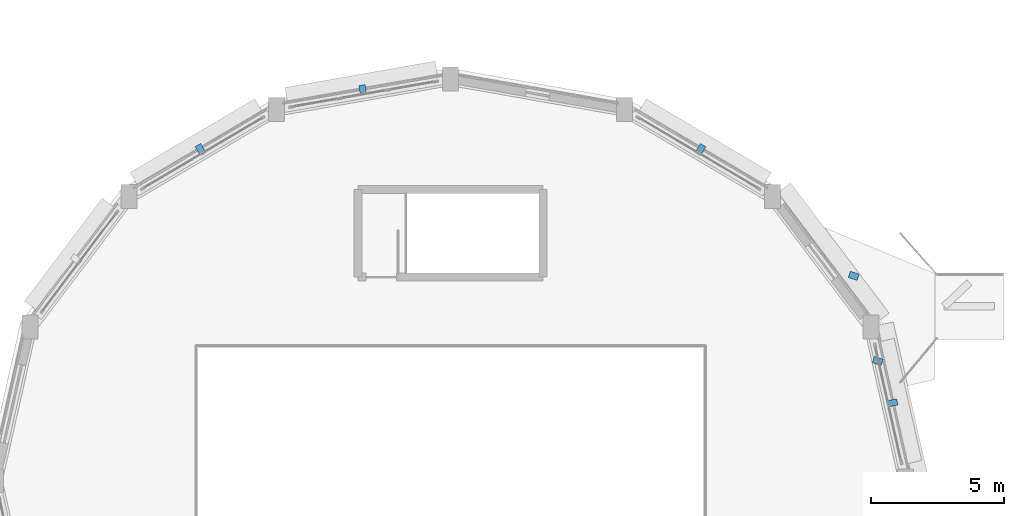
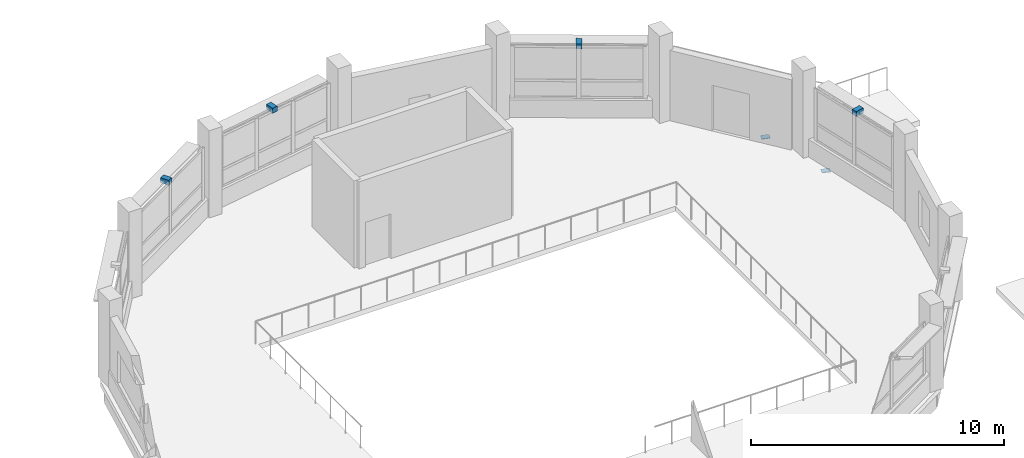
# One storey, part 119 of 128: 6 discrete accessories.
"""IFC4 building model written with IfcOpenShell, lengths in metres."""

from ifc_helpers import new_model, si_unit, direction, frame, origin, origin_2d, place, context, subcontext, project, spatial, rectangle, extrude, material, type_object, element, save


model = new_model("IFC4")

# Units and contexts
model_context = context("Model", 3, precision=1e-05, world=origin(), true_north=direction((0.0, 1.0)))
body_context = subcontext(model_context, "Body", "Model", "MODEL_VIEW")
ifc_project = project(units=[si_unit("LENGTHUNIT", "METRE"), si_unit("AREAUNIT", "SQUARE_METRE"), si_unit("VOLUMEUNIT", "CUBIC_METRE"), si_unit("PLANEANGLEUNIT", "RADIAN"), si_unit("MASSUNIT", "GRAM", prefix="KILO")], contexts=[model_context])

# Site, building, storey
site_placement = place(None, origin())
site = spatial("IfcSite", under=ifc_project, at=site_placement, CompositionType="ELEMENT")
building_placement = place(site_placement, origin())
building = spatial("IfcBuilding", under=site, at=building_placement, Name="Vespera Passage Community Centre", CompositionType="ELEMENT")
storey_placement = place(building_placement, frame((0.0, 0.0, 4.5)))
storey = spatial("IfcBuildingStorey", under=building, at=storey_placement, Name="L01", CompositionType="ELEMENT", Elevation=4.5)

# Discrete accessories
ifc_material_1 = material(Name="Steel ASTM A572 Grade 50", Category="steel")
discrete_accessory_type_1 = type_object("IfcDiscreteAccessoryType", Name="ACC-BRACKET", PredefinedType="BRACKET", material=ifc_material_1)
for number, where, z_axis, x_axis, name in (
    (1, (159.605224609375, 92.42431640625, 3.23486328125), (0.0, 0.0, 1.0), (0.219744045409, -0.975557560838, 0.0), "V2 L01 Solar Eyebrow 1 Bracket"),
    (2, (152.39892578125, 101.951904296875, 3.23486328125), (0.0, 0.0, 1.0), (0.861248014559, -0.508184865396, 0.0), "V2 L01 Solar Eyebrow 3 Bracket"),
    (3, (139.700439453125, 104.182861328125, 3.23486328125), (0.0, 0.0, 1.0), (0.984922704244, 0.172994990288, 0.0), "V2 L01 Solar Eyebrow 5 Bracket"),
    (4, (133.60107421875, 101.951904296875, 3.23486328125), (0.0, 0.0, 1.0), (0.861248014559, 0.508184865396, 0.0), "V2 L01 Solar Eyebrow 6 Bracket"),
):
    element("IfcDiscreteAccessory", number, at=place(storey_placement, frame(where, z_axis=z_axis, x_axis=x_axis)), inside=storey, type_object=discrete_accessory_type_1, Name=name, PredefinedType="BRACKET", context=body_context, shape_type="SweptSolid", body=[
        extrude(rectangle(XDim=0.239990234375, YDim=0.3798828125, at=origin_2d()), origin(), (0.0, 0.0, 1.0), 0.239990234375),
    ])
ifc_material_2 = material(Name="Stainless steel and PTFE elastomer", Category="steel")
discrete_accessory_type_2 = type_object("IfcDiscreteAccessoryType", Name="BRG-PTFE-250", PredefinedType="BRACKET", material=ifc_material_2)
for number, where, z_axis, x_axis, name in (
    (5, (159.050048828125, 94.0, -0.2900390625), (0.0, 0.0, 1.0), (0.309016994375, 0.951056516295, 0.0), "MJ-01 Unguided PTFE Slide Bearing 1 (250mm Bearing on 550mm Seat)"),
    (6, (158.14990234375, 97.199951171875, -0.2900390625), (0.0, 0.0, 1.0), (0.309016994375, 0.951056516295, 0.0), "MJ-01 Unguided PTFE Slide Bearing 2 (250mm Bearing on 550mm Seat)"),
):
    element("IfcDiscreteAccessory", number, at=place(storey_placement, frame(where, z_axis=z_axis, x_axis=x_axis)), inside=storey, type_object=discrete_accessory_type_2, Name=name, PredefinedType="BRACKET", context=body_context, shape_type="SweptSolid", body=[
        extrude(rectangle(XDim=0.25, YDim=0.35009765625, at=origin_2d()), origin(), (0.0, 0.0, 1.0), 0.030029296875),
    ])

save(model, "model.ifc")
